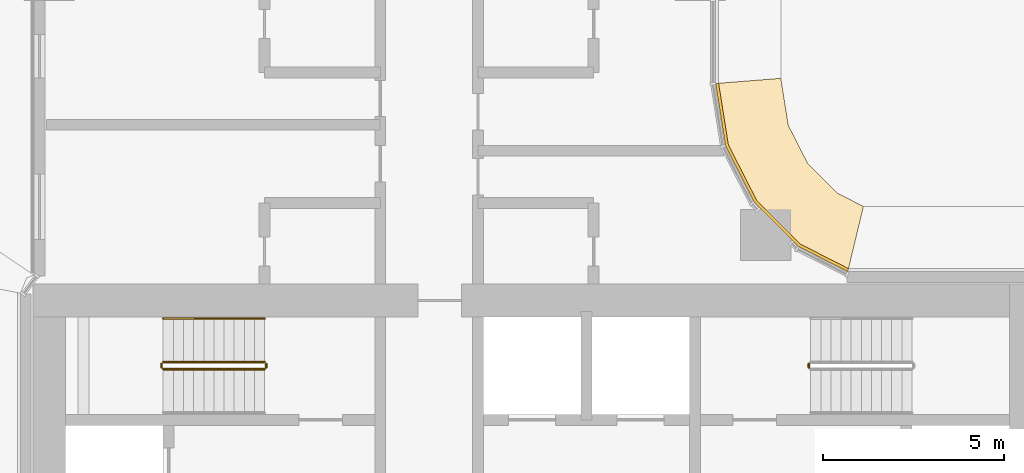
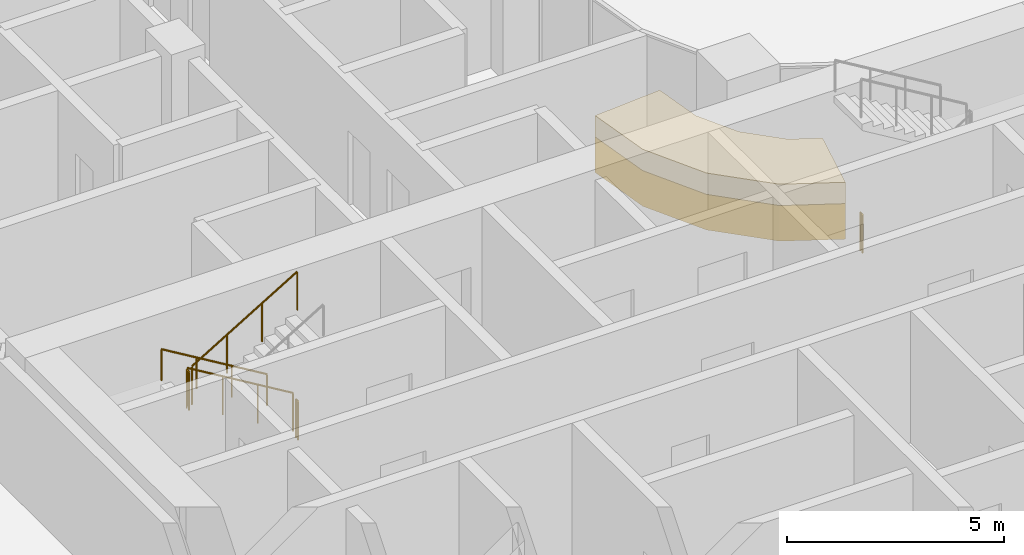
# One storey, part 37 of 51: 6 railings, 2 coverings.
"""IFC4 building model written with IfcOpenShell, lengths in metres."""

from ifc_helpers import new_model, si_unit, direction, frame, origin, origin_2d, place, context, subcontext, project, spatial, polyline, circle, outline, extrude, material, layer, layer_set, type_object, element, save


model = new_model("IFC4")

# Units and contexts
model_context = context("Model", 3, precision=1e-05, world=origin(), true_north=direction((0.0, 1.0)))
body_context = subcontext(model_context, "Body", "Model", "MODEL_VIEW")
ifc_project = project(units=[si_unit("LENGTHUNIT", "METRE"), si_unit("AREAUNIT", "SQUARE_METRE"), si_unit("VOLUMEUNIT", "CUBIC_METRE"), si_unit("PLANEANGLEUNIT", "RADIAN"), si_unit("MASSUNIT", "GRAM", prefix="KILO")], contexts=[model_context])

# Site, building, storey
site_placement = place(None, origin())
site = spatial("IfcSite", under=ifc_project, at=site_placement, CompositionType="ELEMENT")
building_placement = place(site_placement, origin())
building = spatial("IfcBuilding", under=site, at=building_placement, Name="Ogive Portal Towers", CompositionType="ELEMENT")
storey_placement = place(building_placement, frame((0.0, 0.0, 33.5)))
storey = spatial("IfcBuildingStorey", under=building, at=storey_placement, Name="L06", CompositionType="ELEMENT", Elevation=33.5)

# Railings
ifc_material_1 = material(Name="Stainless steel balustrade", Category="steel")
railing_type_1 = type_object("IfcRailingType", Name="INT-GUARD", PredefinedType="GUARDRAIL", material=ifc_material_1)
railing_1_placement = place(storey_placement, frame((37.449951171875, 37.800048828125, 0.168212890625)))
element("IfcRailing", 1, at=railing_1_placement, inside=storey, type_object=railing_type_1, Name="L06 ST-A1 stair guard 1", PredefinedType="GUARDRAIL", context=body_context, shape_type="SweptSolid", body=[
    extrude(circle(Radius=0.02392578125, at=origin_2d()), frame((0.0, 0.0, 1.076171875), z_axis=(-0.857242210791, 0.0, 0.514913383045), x_axis=(0.0, -1.0, 0.0)), (0.0, 0.0, 1.0), 3.266357421875),
    extrude(circle(Radius=0.02099609375, at=origin_2d()), origin(), (0.0, 0.0, 1.0), 1.052001953125),
    extrude(circle(Radius=0.02099609375, at=origin_2d()), frame((-0.933349609375, 0.0, 0.560546875)), (0.0, 0.0, 1.0), 1.052001953125),
    extrude(circle(Radius=0.02099609375, at=origin_2d()), frame((-1.86669921875, 0.0, 1.121337890625)), (0.0, 0.0, 1.0), 1.052001953125),
    extrude(circle(Radius=0.02099609375, at=origin_2d()), frame((-2.800048828125, 0.0, 1.681884765625)), (0.0, 0.0, 1.0), 1.052001953125),
])
railing_2_placement = place(storey_placement, frame((34.60009765625, 37.75, 1.85009765625)))
element("IfcRailing", 2, at=railing_2_placement, inside=storey, type_object=railing_type_1, Name="L06 ST-A1 stair guard 2", PredefinedType="GUARDRAIL", context=body_context, shape_type="SweptSolid", body=[
    extrude(circle(Radius=0.02392578125, at=origin_2d()), frame((0.0, 0.0, 1.076171875), z_axis=(0.0, -1.0, 0.0), x_axis=(1.0, 0.0, 0.0)), (0.0, 0.0, 1.0), 0.10009765625),
    extrude(circle(Radius=0.02099609375, at=origin_2d()), origin(), (0.0, 0.0, 1.0), 1.052001953125),
    extrude(circle(Radius=0.02099609375, at=origin_2d()), frame((0.0, -0.10009765625, 0.0)), (0.0, 0.0, 1.0), 1.052001953125),
])
railing_3_placement = place(storey_placement, frame((34.64990234375, 37.60009765625, 2.01806640625)))
element("IfcRailing", 3, at=railing_3_placement, inside=storey, type_object=railing_type_1, Name="L06 ST-A1 stair guard 3", PredefinedType="GUARDRAIL", context=body_context, shape_type="SweptSolid", body=[
    extrude(circle(Radius=0.02392578125, at=origin_2d()), frame((0.0, 0.0, 1.076171875), z_axis=(0.857242210791, 0.0, 0.514913383045), x_axis=(0.0, 1.0, 0.0)), (0.0, 0.0, 1.0), 3.266357421875),
    extrude(circle(Radius=0.02099609375, at=origin_2d()), origin(), (0.0, 0.0, 1.0), 1.052001953125),
    extrude(circle(Radius=0.02099609375, at=origin_2d()), frame((0.933349609375, 0.0, 0.560546875)), (0.0, 0.0, 1.0), 1.052001953125),
    extrude(circle(Radius=0.02099609375, at=origin_2d()), frame((1.86669921875, 0.0, 1.121337890625)), (0.0, 0.0, 1.0), 1.052001953125),
    extrude(circle(Radius=0.02099609375, at=origin_2d()), frame((2.800048828125, 0.0, 1.681884765625)), (0.0, 0.0, 1.0), 1.052001953125),
])
railing_4_placement = place(storey_placement, frame((37.5, 37.75, 0.0)))
element("IfcRailing", 4, at=railing_4_placement, inside=storey, type_object=railing_type_1, Name="L06 ST-A1 stair guard 4", PredefinedType="GUARDRAIL", context=body_context, shape_type="SweptSolid", body=[
    extrude(circle(Radius=0.02392578125, at=origin_2d()), frame((0.0, 0.0, 1.076171875), z_axis=(0.0, -1.0, 0.0), x_axis=(1.0, 0.0, 0.0)), (0.0, 0.0, 1.0), 0.10009765625),
    extrude(circle(Radius=0.02099609375, at=origin_2d()), origin(), (0.0, 0.0, 1.0), 1.052001953125),
    extrude(circle(Radius=0.02099609375, at=origin_2d()), frame((0.0, -0.10009765625, 0.0)), (0.0, 0.0, 1.0), 1.052001953125),
])
railing_5_placement = place(storey_placement, frame((52.5, 37.64990234375, 0.0)))
element("IfcRailing", 5, at=railing_5_placement, inside=storey, type_object=railing_type_1, Name="L06 ST-A2 stair guard 4", PredefinedType="GUARDRAIL", context=body_context, shape_type="SweptSolid", body=[
    extrude(circle(Radius=0.02392578125, at=origin_2d()), frame((0.0, 0.0, 1.076171875), z_axis=(0.0, 1.0, 0.0), x_axis=(-1.0, 0.0, 0.0)), (0.0, 0.0, 1.0), 0.10009765625),
    extrude(circle(Radius=0.02099609375, at=origin_2d()), origin(), (0.0, 0.0, 1.0), 1.052001953125),
    extrude(circle(Radius=0.02099609375, at=origin_2d()), frame((0.0, 0.10009765625, 0.0)), (0.0, 0.0, 1.0), 1.052001953125),
])
ifc_material_2 = material(Name="Stainless steel handrail", Category="steel")
railing_type_2 = type_object("IfcRailingType", Name="INT-HANDRAIL", PredefinedType="HANDRAIL", material=ifc_material_2)
railing_6_placement = place(storey_placement, frame((37.449951171875, 39.0, 0.168212890625)))
element("IfcRailing", 6, at=railing_6_placement, inside=storey, type_object=railing_type_2, Name="L06 ST-A1 stair handrail 1", PredefinedType="HANDRAIL", context=body_context, shape_type="SweptSolid", body=[
    extrude(circle(Radius=0.02392578125, at=origin_2d()), frame((0.0, 0.0, 0.8759765625), z_axis=(-0.857242210791, 0.0, 0.514913383045), x_axis=(0.0, -1.0, 0.0)), (0.0, 0.0, 1.0), 3.266357421875),
    extrude(circle(Radius=0.02099609375, at=origin_2d()), origin(), (0.0, 0.0, 1.0), 0.851806640625),
    extrude(circle(Radius=0.02099609375, at=origin_2d()), frame((-0.933349609375, 0.0, 0.560546875)), (0.0, 0.0, 1.0), 0.851806640625),
    extrude(circle(Radius=0.02099609375, at=origin_2d()), frame((-1.86669921875, 0.0, 1.121337890625)), (0.0, 0.0, 1.0), 0.851806640625),
    extrude(circle(Radius=0.02099609375, at=origin_2d()), frame((-2.800048828125, 0.0, 1.681884765625)), (0.0, 0.0, 1.0), 0.851806640625),
])

# Coverings
ifc_material_3 = material(Name="Limestone cladding on lightweight block wall", Category="masonry")
ifc_layer_1 = layer(ifc_material_3, 0.080078125)
ifc_layer_set_1 = layer_set([ifc_layer_1], Name="STONE SPANDREL 80")
covering_type_1 = type_object("IfcCoveringType", Name="STONE SPANDREL 80", PredefinedType="CLADDING", material=ifc_layer_set_1)
covering_1_placement = place(storey_placement, frame((0.0, 0.0, -1.60009765625)))
element("IfcCovering", 7, at=covering_1_placement, inside=storey, type_object=covering_type_1, Name="Stone spandrel A1-F03", PredefinedType="CLADDING", context=body_context, shape_type="SweptSolid", body=[
    extrude(outline(polyline([(53.57666015625, 40.300048828125), (52.22314453125, 40.98974609375), (50.98974609375, 42.22314453125), (50.19775390625, 43.77734375), (49.925048828125, 45.5), (50.0048828125, 45.50634765625), (50.27490234375, 43.80224609375), (51.05517578125, 42.270751953125), (52.270751953125, 41.05517578125), (53.595947265625, 40.3798828125), (53.57666015625, 40.300048828125)])), origin(), (0.0, 0.0, 1.0), 1.0),
])
ifc_layer_2 = layer(ifc_material_3, 0.60009765625)
ifc_layer_set_2 = layer_set([ifc_layer_2], Name="SUNSHADE LIP 600")
covering_type_2 = type_object("IfcCoveringType", Name="SUNSHADE LIP 600", PredefinedType="CLADDING", material=ifc_layer_set_2)
covering_2_placement = place(storey_placement, frame((0.0, 0.0, -0.60009765625)))
element("IfcCovering", 8, at=covering_2_placement, inside=storey, type_object=covering_type_2, Name="Sunshade lip A1-F03", PredefinedType="CLADDING", context=body_context, shape_type="SweptSolid", body=[
    extrude(outline(polyline([(53.57666015625, 40.300048828125), (52.22314453125, 40.98974609375), (50.98974609375, 42.22314453125), (50.19775390625, 43.77734375), (49.925048828125, 45.5), (51.72509765625, 45.6416015625), (51.93115234375, 44.34033203125), (52.464111328125, 43.294189453125), (53.294189453125, 42.464111328125), (54.0087890625, 42.10009765625), (53.57666015625, 40.300048828125)])), origin(), (0.0, 0.0, 1.0), 0.60009765625),
])

save(model, "model.ifc")
